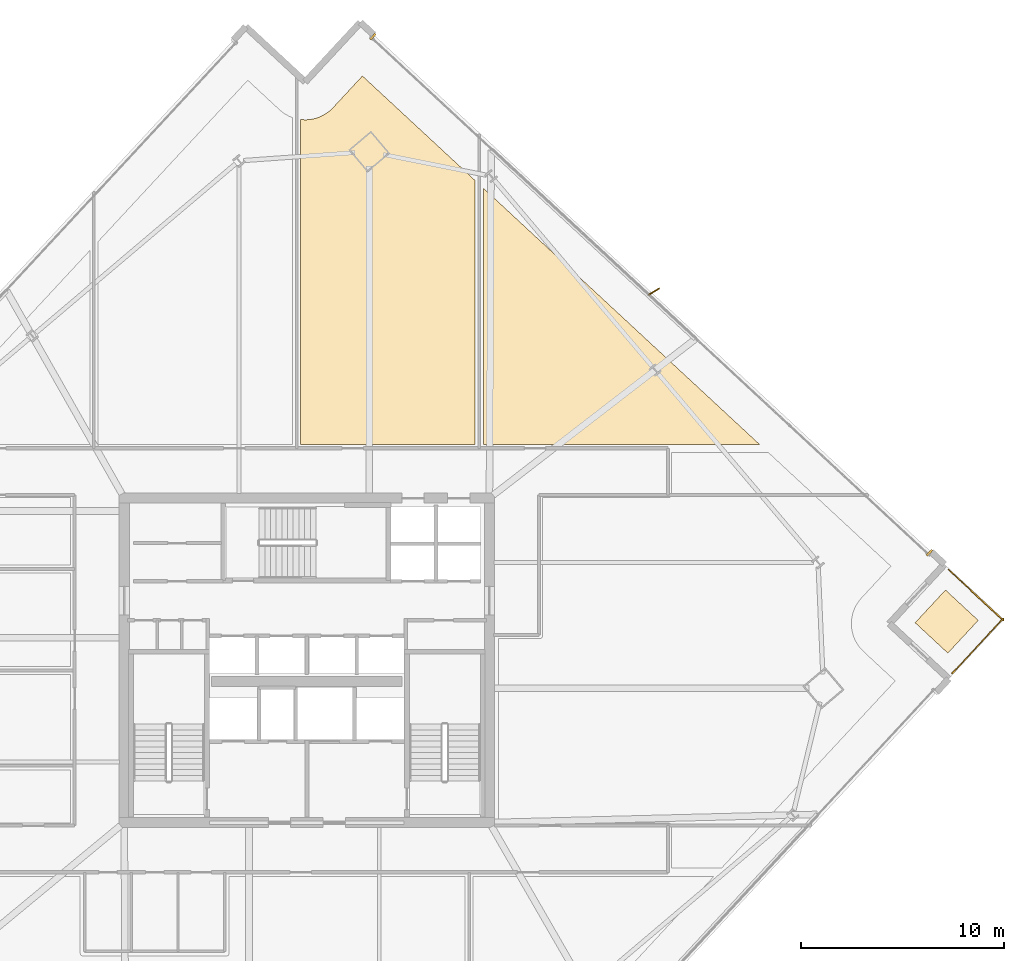
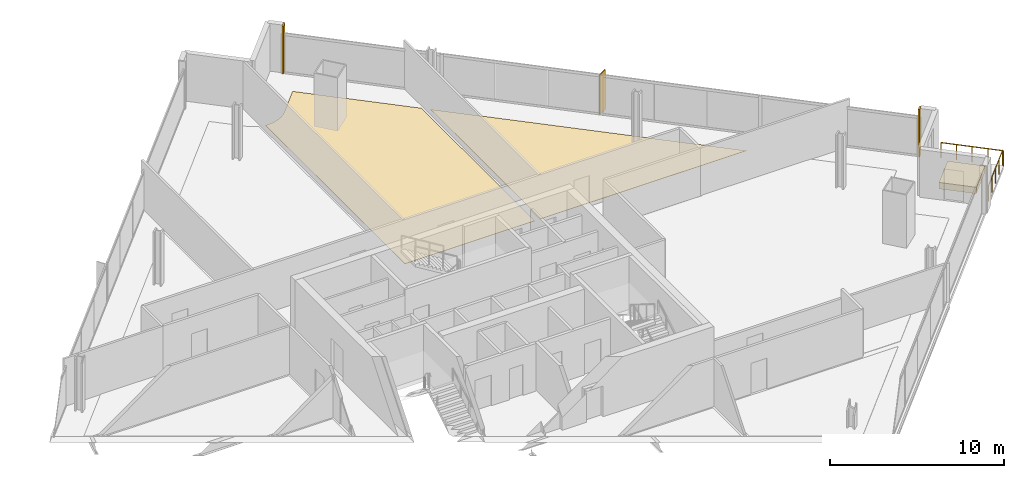
# One storey, part 32 of 32: 5 coverings, 2 railings, 1 shading device.
"""IFC4 building model written with IfcOpenShell, lengths in metres."""

from ifc_helpers import new_model, si_unit, direction, frame, origin, origin_2d, place, context, subcontext, project, spatial, polyline, rectangle, outline, extrude, source, transform, mapped, material, layer, layer_set, type_object, element, save


model = new_model("IFC4")

# Units and contexts
model_context = context("Model", 3, precision=1e-05, world=origin(), true_north=direction((0.0, 1.0)))
body_context = subcontext(model_context, "Body", "Model", "MODEL_VIEW")
ifc_project = project(units=[si_unit("LENGTHUNIT", "METRE"), si_unit("AREAUNIT", "SQUARE_METRE"), si_unit("VOLUMEUNIT", "CUBIC_METRE"), si_unit("PLANEANGLEUNIT", "RADIAN"), si_unit("MASSUNIT", "GRAM", prefix="KILO")], contexts=[model_context])

# Site, building, storey
site_placement = place(None, origin())
site = spatial("IfcSite", under=ifc_project, at=site_placement, CompositionType="ELEMENT")
building_placement = place(site_placement, origin())
building = spatial("IfcBuilding", under=site, at=building_placement, Name="Haldenkirk Collegiate Tower", CompositionType="ELEMENT")
storey_placement = place(building_placement, frame((0.0, 0.0, 185.699951171875)))
storey = spatial("IfcBuildingStorey", under=building, at=storey_placement, Name="L46", CompositionType="ELEMENT", Elevation=185.699951171875)

# Coverings
ifc_material_1 = material(Name="Polished collegiate terrazzo", Category="concrete")
ifc_layer_1 = layer(ifc_material_1, 0.02490234375)
ifc_layer_set_1 = layer_set([ifc_layer_1], Name="Polished collegiate terrazzo")
covering_type_1 = type_object("IfcCoveringType", Name="COV-FLOOR-TERRAZZO", PredefinedType="FLOORING", material=ifc_layer_set_1)
covering_1_placement = place(storey_placement, origin())
element("IfcCovering", 1, at=covering_1_placement, inside=storey, type_object=covering_type_1, Name="L46 academic room finish 06", PredefinedType="FLOORING", context=body_context, shape_type="SweptSolid", body=[
    extrude(outline(polyline([(58.30908203125, 36.64990234375), (44.699951171875, 36.64990234375), (44.699951171875, 49.2744140625), (58.30908203125, 36.64990234375)])), origin(), (0.0, 0.0, 1.0), 0.025146484375),
])
ifc_material_2 = material(Name="Engineered collegiate oak acoustic flooring", Category="wood")
ifc_layer_2 = layer(ifc_material_2, 0.02197265625)
ifc_layer_set_2 = layer_set([ifc_layer_2], Name="Engineered collegiate oak acoustic flooring")
covering_type_2 = type_object("IfcCoveringType", Name="COV-FLOOR-TIMBER", PredefinedType="FLOORING", material=ifc_layer_set_2)
covering_2_placement = place(storey_placement, origin())
element("IfcCovering", 2, at=covering_2_placement, inside=storey, type_object=covering_type_2, Name="L46 academic room finish 05", PredefinedType="FLOORING", context=body_context, shape_type="SweptSolid", body=[
    extrude(outline(polyline([(35.699951171875, 52.658447265625), (35.801025390625, 52.6474609375), (35.812744140625, 52.646728515625), (35.984619140625, 52.644775390625), (35.996337890625, 52.645263671875), (36.16748046875, 52.66015625), (36.178955078125, 52.66162109375), (36.347900390625, 52.693115234375), (36.359375, 52.69580078125), (36.524169921875, 52.743896484375), (36.535400390625, 52.747802734375), (36.69482421875, 52.8115234375), (36.705322265625, 52.81640625), (36.85791015625, 52.895751953125), (36.867919921875, 52.901611328125), (37.01171875, 52.995361328125), (37.021240234375, 53.002197265625), (37.155517578125, 53.109619140625), (37.164306640625, 53.117431640625), (37.287109375, 53.237548828125), (37.291259765625, 53.24169921875), (38.73974609375, 54.80322265625), (44.300048828125, 49.6455078125), (44.300048828125, 36.64990234375), (35.699951171875, 36.64990234375), (35.699951171875, 52.658447265625)])), origin(), (0.0, 0.0, 1.0), 0.02197265625),
])
ifc_material_3 = material(Name="Precast concrete f'c 40 MPa", Category="concrete")
ifc_layer_3 = layer(ifc_material_3, 0.449951171875)
ifc_layer_set_3 = layer_set([ifc_layer_3], Name="Precast concrete f'c 40 MPa")
covering_type_3 = type_object("IfcCoveringType", Name="COV-PLANTER-450", PredefinedType="USERDEFINED", material=ifc_layer_set_3)
covering_3_placement = place(storey_placement, origin())
element("IfcCovering", 3, at=covering_3_placement, inside=storey, type_object=covering_type_3, Name="L46 planted garden planter bed", ObjectType="PLANTER", PredefinedType="USERDEFINED", context=body_context, shape_type="SweptSolid", body=[
    extrude(outline(polyline([(67.598876953125, 26.35498046875), (65.986083984375, 27.85107421875), (67.482177734375, 29.4638671875), (69.09521484375, 27.9677734375), (67.598876953125, 26.35498046875)])), origin(), (0.0, 0.0, 1.0), 0.449951171875),
])

# Railings
ifc_material_4 = material(Name="Anodised architectural bronze aluminium", Category="aluminium")
railing_type = type_object("IfcRailingType", Name="RLG-TERR-BALUSTRADE-1100", PredefinedType="BALUSTRADE", material=ifc_material_4)
railing_1_placement = place(storey_placement, frame((67.8203125, 25.3583984375, 0.0)))
element("IfcRailing", 4, at=railing_1_placement, inside=storey, type_object=railing_type, Name="L46 terrace guard balustrade 1-1", PredefinedType="BALUSTRADE", context=body_context, shape_type="SweptSolid", body=[
    extrude(rectangle(XDim=0.048095703125, YDim=0.048095703125, at=origin_2d()), frame((0.0, 0.0, 1.076171875), z_axis=(0.680071859204, 0.733145460546, 0.0), x_axis=(-0.733145460546, 0.680071859204, 0.0)), (0.0, 0.0, 1.0), 3.679931640625),
    extrude(rectangle(XDim=0.0419921875, YDim=0.0419921875, at=origin_2d()), origin(), (0.0, 0.0, 1.0), 1.052001953125),
    extrude(rectangle(XDim=0.0419921875, YDim=0.0419921875, at=origin_2d()), frame((0.625732421875, 0.674560546875, 0.0)), (0.0, 0.0, 1.0), 1.052001953125),
    extrude(rectangle(XDim=0.0419921875, YDim=0.0419921875, at=origin_2d()), frame((1.25146484375, 1.34912109375, 0.0)), (0.0, 0.0, 1.0), 1.052001953125),
    extrude(rectangle(XDim=0.0419921875, YDim=0.0419921875, at=origin_2d()), frame((1.876953125, 2.0234375, 0.0)), (0.0, 0.0, 1.0), 1.052001953125),
    extrude(rectangle(XDim=0.0419921875, YDim=0.0419921875, at=origin_2d()), frame((2.502685546875, 2.697998046875, 0.0)), (0.0, 0.0, 1.0), 1.052001953125),
])
railing_2_placement = place(storey_placement, frame((70.326171875, 27.971435546875, 0.0)))
element("IfcRailing", 5, at=railing_2_placement, inside=storey, type_object=railing_type, Name="L46 terrace guard balustrade 2-1", PredefinedType="BALUSTRADE", context=body_context, shape_type="SweptSolid", body=[
    extrude(rectangle(XDim=0.048095703125, YDim=0.048095703125, at=origin_2d()), frame((0.0, 0.0, 1.076171875), z_axis=(-0.733114775282, 0.680104937685, 0.0), x_axis=(-0.680104937685, -0.733114775282, 0.0)), (0.0, 0.0, 1.0), 3.679931640625),
    extrude(rectangle(XDim=0.0419921875, YDim=0.0419921875, at=origin_2d()), origin(), (0.0, 0.0, 1.0), 1.052001953125),
    extrude(rectangle(XDim=0.0419921875, YDim=0.0419921875, at=origin_2d()), frame((-0.67431640625, 0.625732421875, 0.0)), (0.0, 0.0, 1.0), 1.052001953125),
    extrude(rectangle(XDim=0.0419921875, YDim=0.0419921875, at=origin_2d()), frame((-1.348876953125, 1.25146484375, 0.0)), (0.0, 0.0, 1.0), 1.052001953125),
    extrude(rectangle(XDim=0.0419921875, YDim=0.0419921875, at=origin_2d()), frame((-2.0234375, 1.876953125, 0.0)), (0.0, 0.0, 1.0), 1.052001953125),
    extrude(rectangle(XDim=0.0419921875, YDim=0.0419921875, at=origin_2d()), frame((-2.69775390625, 2.502685546875, 0.0)), (0.0, 0.0, 1.0), 1.052001953125),
])

# Coverings
ifc_layer_4 = layer(ifc_material_4, 0.06005859375)
ifc_layer_set_4 = layer_set([ifc_layer_4], Name="Anodised architectural bronze aluminium")
covering_type_4 = type_object("IfcCoveringType", Name="COV-CLAD-BRONZE-60", PredefinedType="CLADDING", material=ifc_layer_set_4)
shared_shape_1 = source(origin(), body_context, "Body", "SweptSolid", [
    extrude(rectangle(XDim=0.10009765625, YDim=0.3798828125, at=origin_2d()), origin(), (0.0, 0.0, 1.0), 3.340087890625),
])
for number, where, z_axis, x_axis, name in (
    (6, (39.260986328125, 56.74755859375, 0.0), (0.0, 0.0, 1.0), (0.733136660803, -0.680081345566, 0.0), "L46 recessed curtain-wall bronze jamb closure EJL"),
    (7, (66.69140625, 31.30224609375, 0.0), (0.0, 0.0, 1.0), (0.733136660803, -0.680081345566, 0.0), "L46 recessed curtain-wall bronze jamb closure EJR"),
):
    element("IfcCovering", number, at=place(storey_placement, frame(where, z_axis=z_axis, x_axis=x_axis)), inside=storey, type_object=covering_type_4, Name=name, PredefinedType="CLADDING", context=body_context, shape_type="MappedRepresentation", body=[
        mapped(shared_shape_1, transform((0.0, 0.0, 0.0), x_axis=(1.0, 0.0, 0.0), y_axis=(0.0, 1.0, 0.0), z_axis=(0.0, 0.0, 1.0), scale=1.0)),
    ])

# Shading device
ifc_layer_5 = layer(ifc_material_4, 0.06494140625)
ifc_layer_set_5 = layer_set([ifc_layer_5], Name="Anodised architectural bronze aluminium")
shading_device_type = type_object("IfcShadingDeviceType", Name="SHD-FIN-BRONZE-620", PredefinedType="USERDEFINED", material=ifc_layer_set_5)
shared_shape_2 = source(origin(), body_context, "Body", "SweptSolid", [
    extrude(rectangle(XDim=0.6201171875, YDim=0.06494140625, at=origin_2d()), origin(), (0.0, 0.0, 1.0), 2.791015625),
])
shading_device_placement = place(storey_placement, frame((53.11572265625, 44.17529296875, 0.0), z_axis=(0.0, 0.0, 1.0), x_axis=(0.855815998251, 0.517280366086, 0.0)))
element("IfcShadingDevice", 8, at=shading_device_placement, inside=storey, type_object=shading_device_type, Name="L46 folded bronze solar fin 1", ObjectType="FIN", PredefinedType="USERDEFINED", context=body_context, shape_type="MappedRepresentation", body=[
    mapped(shared_shape_2, transform((0.0, 0.0, 0.0), x_axis=(1.0, 0.0, 0.0), y_axis=(0.0, 1.0, 0.0), z_axis=(0.0, 0.0, 1.0), scale=1.0)),
])

save(model, "model.ifc")
